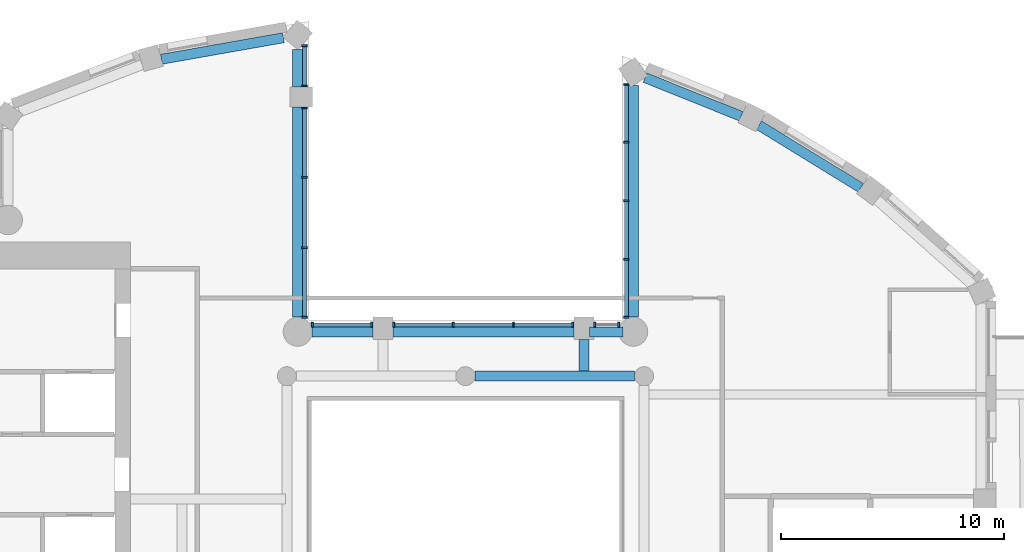
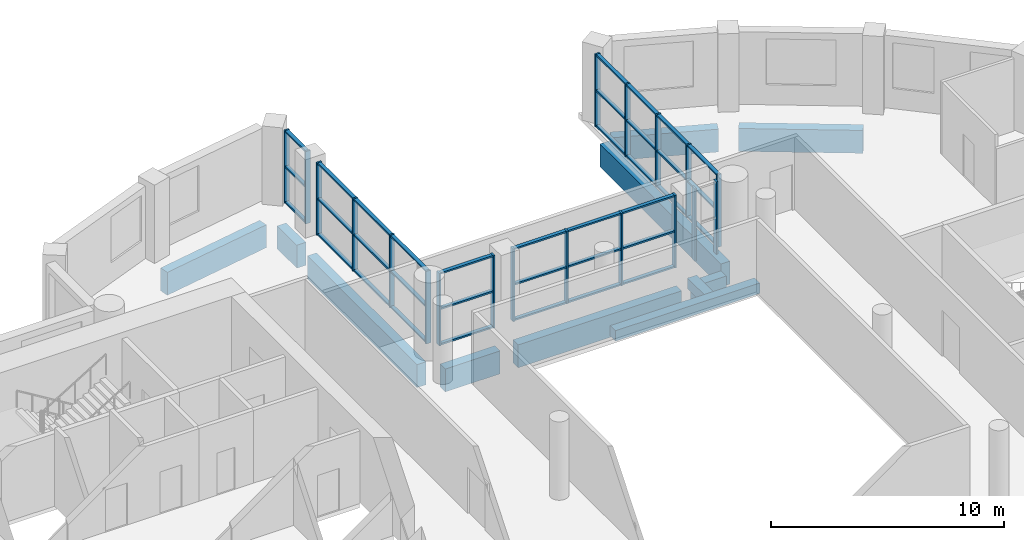
# One storey, part 2 of 15: 55 members, 11 beams, 6 elements without a shape of their own.
"""IFC4 building model written with IfcOpenShell, lengths in metres."""

from ifc_helpers import new_model, si_unit, direction, frame, origin, origin_2d, place, context, subcontext, project, spatial, rectangle, extrude, material, material_profile, profile_set, type_object, element, aggregate, save


model = new_model("IFC4")

# Units and contexts
model_context = context("Model", 3, precision=1e-05, world=origin(), true_north=direction((0.0, 1.0)))
body_context = subcontext(model_context, "Body", "Model", "MODEL_VIEW")
ifc_project = project(units=[si_unit("LENGTHUNIT", "METRE"), si_unit("AREAUNIT", "SQUARE_METRE"), si_unit("VOLUMEUNIT", "CUBIC_METRE"), si_unit("PLANEANGLEUNIT", "RADIAN"), si_unit("MASSUNIT", "GRAM", prefix="KILO")], contexts=[model_context])

# Site, building, storey
site_placement = place(None, origin())
site = spatial("IfcSite", under=ifc_project, at=site_placement, CompositionType="ELEMENT")
building_placement = place(site_placement, origin())
building = spatial("IfcBuilding", under=site, at=building_placement, Name="Cypress Arch Tower", CompositionType="ELEMENT")
storey_placement = place(building_placement, frame((0.0, 0.0, 259.800048828125)))
storey = spatial("IfcBuildingStorey", under=building, at=storey_placement, Name="L58", CompositionType="ELEMENT", Elevation=259.800048828125)

# Beams
ifc_material_1 = material(Name="Concrete C50/60", Category="concrete")
ifc_material_profile_1 = material_profile(ifc_material_1, rectangle(XDim=0.449951171875, YDim=0.550048828125, at=origin_2d()), Name="RC 450x550")
ifc_profile_set_1 = profile_set([ifc_material_profile_1], Name="Concrete C50/60")
beam_type_1 = type_object("IfcBeamType", Name="Floor beam RC 450x550 Concrete C50/60", PredefinedType="BEAM", material=ifc_profile_set_1)
beam_1_placement = place(storey_placement, frame((1.425048828125, 10.0, -0.574951171875), z_axis=(1.0, 0.0, 0.0), x_axis=(0.0, 1.0, 0.0)))
element("IfcBeam", 1, at=beam_1_placement, inside=storey, type_object=beam_type_1, Name="Floor beam L58 RB008", PredefinedType="BEAM", context=body_context, shape_type="SweptSolid", body=[
    extrude(rectangle(XDim=0.449951171875, YDim=0.550048828125, at=origin_2d()), origin(), (0.0, 0.0, 1.0), 7.14990234375),
])
beam_2_placement = place(storey_placement, frame((6.300048828125, 10.22509765625, -0.574951171875), z_axis=(0.0, 1.0, 0.0), x_axis=(-1.0, 0.0, 0.0)))
element("IfcBeam", 2, at=beam_2_placement, inside=storey, type_object=beam_type_1, Name="Floor beam L58 FB013", PredefinedType="BEAM", context=body_context, shape_type="SweptSolid", body=[
    extrude(rectangle(XDim=0.449951171875, YDim=0.550048828125, at=origin_2d()), origin(), (0.0, 0.0, 1.0), 1.4248046875),
])

# Curtain wall, members
ifc_material_2 = material(Name="Anodised aluminium, bronze finish, clear laminated double glazing", Category="aluminium")
curtain_wall_type = type_object("IfcCurtainWallType", Name="Curtain wall CW7 slot glazing", PredefinedType="NOTDEFINED", material=ifc_material_2)
curtain_wall_1_placement = place(storey_placement, origin())
curtain_wall_1 = element("IfcCurtainWall", 3, at=curtain_wall_1_placement, inside=storey, type_object=curtain_wall_type, Name="Curtain wall L58 slot C00.0", PredefinedType="NOTDEFINED")
ifc_material_3 = material(Name="Anodised aluminium, bronze finish", Category="aluminium")
ifc_material_profile_2 = material_profile(ifc_material_3, rectangle(XDim=0.239990234375, YDim=0.0849609375, at=origin_2d()), Name="Mullion 85x240")
ifc_profile_set_2 = profile_set([ifc_material_profile_2], Name="Anodised aluminium, bronze finish")
member_type_1 = type_object("IfcMemberType", Name="Mullion CW7 85x240", PredefinedType="MULLION", material=ifc_profile_set_2)
member_1_placement = place(storey_placement, frame((8.199951171875, 23.060302734375, 0.0), z_axis=(0.0, 0.0, 1.0), x_axis=(1.0, 0.0, 0.0)))
member_1 = element("IfcMember", 4, at=member_1_placement, type_object=member_type_1, Name="CW7 mullion 1", PredefinedType="MULLION", context=body_context, shape_type="SweptSolid", body=[
    extrude(rectangle(XDim=0.239990234375, YDim=0.0849609375, at=origin_2d()), origin(), (0.0, 0.0, 1.0), 3.800048828125),
])
member_2_placement = place(storey_placement, frame((8.199951171875, 20.477294921875, 0.0), z_axis=(0.0, 0.0, 1.0), x_axis=(1.0, 0.0, 0.0)))
member_2 = element("IfcMember", 5, at=member_2_placement, type_object=member_type_1, Name="CW7 mullion 2", PredefinedType="MULLION", context=body_context, shape_type="SweptSolid", body=[
    extrude(rectangle(XDim=0.239990234375, YDim=0.0849609375, at=origin_2d()), origin(), (0.0, 0.0, 1.0), 3.800048828125),
])
member_3_placement = place(storey_placement, frame((8.199951171875, 17.85205078125, 0.0), z_axis=(0.0, 0.0, 1.0), x_axis=(1.0, 0.0, 0.0)))
member_3 = element("IfcMember", 6, at=member_3_placement, type_object=member_type_1, Name="CW7 mullion 3", PredefinedType="MULLION", context=body_context, shape_type="SweptSolid", body=[
    extrude(rectangle(XDim=0.239990234375, YDim=0.0849609375, at=origin_2d()), origin(), (0.0, 0.0, 1.0), 3.800048828125),
])
member_4_placement = place(storey_placement, frame((8.199951171875, 15.226806640625, 0.0), z_axis=(0.0, 0.0, 1.0), x_axis=(1.0, 0.0, 0.0)))
member_4 = element("IfcMember", 7, at=member_4_placement, type_object=member_type_1, Name="CW7 mullion 4", PredefinedType="MULLION", context=body_context, shape_type="SweptSolid", body=[
    extrude(rectangle(XDim=0.239990234375, YDim=0.0849609375, at=origin_2d()), origin(), (0.0, 0.0, 1.0), 3.800048828125),
])
member_5_placement = place(storey_placement, frame((8.199951171875, 12.64404296875, 0.0), z_axis=(0.0, 0.0, 1.0), x_axis=(1.0, 0.0, 0.0)))
member_5 = element("IfcMember", 8, at=member_5_placement, type_object=member_type_1, Name="CW7 mullion 5", PredefinedType="MULLION", context=body_context, shape_type="SweptSolid", body=[
    extrude(rectangle(XDim=0.239990234375, YDim=0.0849609375, at=origin_2d()), origin(), (0.0, 0.0, 1.0), 3.800048828125),
])

curtain_wall_2_placement = place(storey_placement, origin())
curtain_wall_2 = element("IfcCurtainWall", 9, at=curtain_wall_2_placement, inside=storey, type_object=curtain_wall_type, Name="Curtain wall L58 slot C01.0", PredefinedType="NOTDEFINED")
member_6_placement = place(storey_placement, frame((7.85595703125, 12.300048828125, 0.0), z_axis=(0.0, 0.0, 1.0), x_axis=(0.0, -1.0, 0.0)))
member_6 = element("IfcMember", 10, at=member_6_placement, type_object=member_type_1, Name="CW7 mullion 1", PredefinedType="MULLION", context=body_context, shape_type="SweptSolid", body=[
    extrude(rectangle(XDim=0.239990234375, YDim=0.0849609375, at=origin_2d()), origin(), (0.0, 0.0, 1.0), 3.800048828125),
])
member_7_placement = place(storey_placement, frame((6.79248046875, 12.300048828125, 0.0), z_axis=(0.0, 0.0, 1.0), x_axis=(0.0, -1.0, 0.0)))
member_7 = element("IfcMember", 11, at=member_7_placement, type_object=member_type_1, Name="CW7 mullion 2", PredefinedType="MULLION", context=body_context, shape_type="SweptSolid", body=[
    extrude(rectangle(XDim=0.239990234375, YDim=0.0849609375, at=origin_2d()), origin(), (0.0, 0.0, 1.0), 3.800048828125),
])
aggregate(curtain_wall_2, [member_6, member_7])

curtain_wall_3_placement = place(storey_placement, origin())
curtain_wall_3 = element("IfcCurtainWall", 12, at=curtain_wall_3_placement, inside=storey, type_object=curtain_wall_type, Name="Curtain wall L58 slot C01.1", PredefinedType="NOTDEFINED")
member_8_placement = place(storey_placement, frame((5.8076171875, 12.300048828125, 0.0), z_axis=(0.0, 0.0, 1.0), x_axis=(0.0, -1.0, 0.0)))
member_8 = element("IfcMember", 13, at=member_8_placement, type_object=member_type_1, Name="CW7 mullion 1", PredefinedType="MULLION", context=body_context, shape_type="SweptSolid", body=[
    extrude(rectangle(XDim=0.239990234375, YDim=0.0849609375, at=origin_2d()), origin(), (0.0, 0.0, 1.0), 3.800048828125),
])
member_9_placement = place(storey_placement, frame((3.14990234375, 12.300048828125, 0.0), z_axis=(0.0, 0.0, 1.0), x_axis=(0.0, -1.0, 0.0)))
member_9 = element("IfcMember", 14, at=member_9_placement, type_object=member_type_1, Name="CW7 mullion 2", PredefinedType="MULLION", context=body_context, shape_type="SweptSolid", body=[
    extrude(rectangle(XDim=0.239990234375, YDim=0.0849609375, at=origin_2d()), origin(), (0.0, 0.0, 1.0), 3.800048828125),
])
member_10_placement = place(storey_placement, frame((0.449951171875, 12.300048828125, 0.0), z_axis=(0.0, 0.0, 1.0), x_axis=(0.0, -1.0, 0.0)))
member_10 = element("IfcMember", 15, at=member_10_placement, type_object=member_type_1, Name="CW7 mullion 3", PredefinedType="MULLION", context=body_context, shape_type="SweptSolid", body=[
    extrude(rectangle(XDim=0.239990234375, YDim=0.0849609375, at=origin_2d()), origin(), (0.0, 0.0, 1.0), 3.800048828125),
])
member_11_placement = place(storey_placement, frame((-2.20751953125, 12.300048828125, 0.0), z_axis=(0.0, 0.0, 1.0), x_axis=(0.0, -1.0, 0.0)))
member_11 = element("IfcMember", 16, at=member_11_placement, type_object=member_type_1, Name="CW7 mullion 4", PredefinedType="MULLION", context=body_context, shape_type="SweptSolid", body=[
    extrude(rectangle(XDim=0.239990234375, YDim=0.0849609375, at=origin_2d()), origin(), (0.0, 0.0, 1.0), 3.800048828125),
])

curtain_wall_4_placement = place(storey_placement, origin())
curtain_wall_4 = element("IfcCurtainWall", 17, at=curtain_wall_4_placement, inside=storey, type_object=curtain_wall_type, Name="Curtain wall L58 slot C01.2", PredefinedType="NOTDEFINED")
member_12_placement = place(storey_placement, frame((-3.1923828125, 12.300048828125, 0.0), z_axis=(0.0, 0.0, 1.0), x_axis=(0.0, -1.0, 0.0)))
member_12 = element("IfcMember", 18, at=member_12_placement, type_object=member_type_1, Name="CW7 mullion 1", PredefinedType="MULLION", context=body_context, shape_type="SweptSolid", body=[
    extrude(rectangle(XDim=0.239990234375, YDim=0.0849609375, at=origin_2d()), origin(), (0.0, 0.0, 1.0), 3.800048828125),
])
member_13_placement = place(storey_placement, frame((-5.85595703125, 12.300048828125, 0.0), z_axis=(0.0, 0.0, 1.0), x_axis=(0.0, -1.0, 0.0)))
member_13 = element("IfcMember", 19, at=member_13_placement, type_object=member_type_1, Name="CW7 mullion 2", PredefinedType="MULLION", context=body_context, shape_type="SweptSolid", body=[
    extrude(rectangle(XDim=0.239990234375, YDim=0.0849609375, at=origin_2d()), origin(), (0.0, 0.0, 1.0), 3.800048828125),
])

curtain_wall_5_placement = place(storey_placement, origin())
curtain_wall_5 = element("IfcCurtainWall", 20, at=curtain_wall_5_placement, inside=storey, type_object=curtain_wall_type, Name="Curtain wall L58 slot C02.0", PredefinedType="NOTDEFINED")
member_14_placement = place(storey_placement, frame((-6.199951171875, 12.64404296875, 0.0), z_axis=(0.0, 0.0, 1.0), x_axis=(-1.0, 0.0, 0.0)))
member_14 = element("IfcMember", 21, at=member_14_placement, type_object=member_type_1, Name="CW7 mullion 1", PredefinedType="MULLION", context=body_context, shape_type="SweptSolid", body=[
    extrude(rectangle(XDim=0.239990234375, YDim=0.0849609375, at=origin_2d()), origin(), (0.0, 0.0, 1.0), 3.800048828125),
])
member_15_placement = place(storey_placement, frame((-6.199951171875, 15.7509765625, 0.0), z_axis=(0.0, 0.0, 1.0), x_axis=(-1.0, 0.0, 0.0)))
member_15 = element("IfcMember", 22, at=member_15_placement, type_object=member_type_1, Name="CW7 mullion 2", PredefinedType="MULLION", context=body_context, shape_type="SweptSolid", body=[
    extrude(rectangle(XDim=0.239990234375, YDim=0.0849609375, at=origin_2d()), origin(), (0.0, 0.0, 1.0), 3.800048828125),
])
member_16_placement = place(storey_placement, frame((-6.199951171875, 18.900390625, 0.0), z_axis=(0.0, 0.0, 1.0), x_axis=(-1.0, 0.0, 0.0)))
member_16 = element("IfcMember", 23, at=member_16_placement, type_object=member_type_1, Name="CW7 mullion 3", PredefinedType="MULLION", context=body_context, shape_type="SweptSolid", body=[
    extrude(rectangle(XDim=0.239990234375, YDim=0.0849609375, at=origin_2d()), origin(), (0.0, 0.0, 1.0), 3.800048828125),
])
member_17_placement = place(storey_placement, frame((-6.199951171875, 22.007568359375, 0.0), z_axis=(0.0, 0.0, 1.0), x_axis=(-1.0, 0.0, 0.0)))
member_17 = element("IfcMember", 24, at=member_17_placement, type_object=member_type_1, Name="CW7 mullion 4", PredefinedType="MULLION", context=body_context, shape_type="SweptSolid", body=[
    extrude(rectangle(XDim=0.239990234375, YDim=0.0849609375, at=origin_2d()), origin(), (0.0, 0.0, 1.0), 3.800048828125),
])

curtain_wall_6_placement = place(storey_placement, origin())
curtain_wall_6 = element("IfcCurtainWall", 25, at=curtain_wall_6_placement, inside=storey, type_object=curtain_wall_type, Name="Curtain wall L58 slot C02.1", PredefinedType="NOTDEFINED")
member_18_placement = place(storey_placement, frame((-6.199951171875, 22.992431640625, 0.0), z_axis=(0.0, 0.0, 1.0), x_axis=(-1.0, 0.0, 0.0)))
member_18 = element("IfcMember", 26, at=member_18_placement, type_object=member_type_1, Name="CW7 mullion 1", PredefinedType="MULLION", context=body_context, shape_type="SweptSolid", body=[
    extrude(rectangle(XDim=0.239990234375, YDim=0.0849609375, at=origin_2d()), origin(), (0.0, 0.0, 1.0), 3.800048828125),
])
member_19_placement = place(storey_placement, frame((-6.199951171875, 24.789794921875, 0.0), z_axis=(0.0, 0.0, 1.0), x_axis=(-1.0, 0.0, 0.0)))
member_19 = element("IfcMember", 27, at=member_19_placement, type_object=member_type_1, Name="CW7 mullion 2", PredefinedType="MULLION", context=body_context, shape_type="SweptSolid", body=[
    extrude(rectangle(XDim=0.239990234375, YDim=0.0849609375, at=origin_2d()), origin(), (0.0, 0.0, 1.0), 3.800048828125),
])

# Beams
ifc_material_4 = material(Name="Concrete C50/60", Category="concrete")
ifc_material_profile_3 = material_profile(ifc_material_4, rectangle(XDim=0.449951171875, YDim=1.199951171875, at=origin_2d()), Name="RC 450x1200")
ifc_profile_set_3 = profile_set([ifc_material_profile_3], Name="Concrete C50/60")
beam_type_2 = type_object("IfcBeamType", Name="Spandrel beam RC 450x1200 Concrete C50/60", PredefinedType="SPANDREL", material=ifc_profile_set_3)
beam_3_placement = place(storey_placement, frame((8.52490234375, 23.017578125, -1.550048828125), z_axis=(0.0, -1.0, 0.0), x_axis=(1.0, 0.0, 0.0)))
element("IfcBeam", 28, at=beam_3_placement, inside=storey, type_object=beam_type_2, Name="Spandrel beam L58 BC00-0", PredefinedType="SPANDREL", context=body_context, shape_type="SweptSolid", body=[
    extrude(rectangle(XDim=0.449951171875, YDim=1.199951171875, at=origin_2d()), origin(), (0.0, 0.0, 1.0), 10.380126953125),
])
beam_4_placement = place(storey_placement, frame((8.05615234375, 11.97509765625, -1.550048828125), z_axis=(-1.0, 0.0, 0.0), x_axis=(0.0, -1.0, 0.0)))
element("IfcBeam", 29, at=beam_4_placement, inside=storey, type_object=beam_type_2, Name="Spandrel beam L58 BC01-0", PredefinedType="SPANDREL", context=body_context, shape_type="SweptSolid", body=[
    extrude(rectangle(XDim=0.449951171875, YDim=1.199951171875, at=origin_2d()), origin(), (0.0, 0.0, 1.0), 1.5),
])
beam_5_placement = place(storey_placement, frame((5.85009765625, 11.97509765625, -1.550048828125), z_axis=(-1.0, 0.0, 0.0), x_axis=(0.0, -1.0, 0.0)))
element("IfcBeam", 30, at=beam_5_placement, inside=storey, type_object=beam_type_2, Name="Spandrel beam L58 BC01-1", PredefinedType="SPANDREL", context=body_context, shape_type="SweptSolid", body=[
    extrude(rectangle(XDim=0.449951171875, YDim=1.199951171875, at=origin_2d()), origin(), (0.0, 0.0, 1.0), 8.10009765625),
])
beam_6_placement = place(storey_placement, frame((-3.14990234375, 11.97509765625, -1.550048828125), z_axis=(-1.0, 0.0, 0.0), x_axis=(0.0, -1.0, 0.0)))
element("IfcBeam", 31, at=beam_6_placement, inside=storey, type_object=beam_type_2, Name="Spandrel beam L58 BC01-2", PredefinedType="SPANDREL", context=body_context, shape_type="SweptSolid", body=[
    extrude(rectangle(XDim=0.449951171875, YDim=1.199951171875, at=origin_2d()), origin(), (0.0, 0.0, 1.0), 2.712646484375),
])
beam_7_placement = place(storey_placement, frame((-6.52490234375, 12.637451171875, -1.550048828125), z_axis=(0.0, 1.0, 0.0), x_axis=(-1.0, 0.0, 0.0)))
element("IfcBeam", 32, at=beam_7_placement, inside=storey, type_object=beam_type_2, Name="Spandrel beam L58 BC02-0", PredefinedType="SPANDREL", context=body_context, shape_type="SweptSolid", body=[
    extrude(rectangle(XDim=0.449951171875, YDim=1.199951171875, at=origin_2d()), origin(), (0.0, 0.0, 1.0), 9.41259765625),
])
beam_8_placement = place(storey_placement, frame((-6.52490234375, 22.949951171875, -1.550048828125), z_axis=(0.0, 1.0, 0.0), x_axis=(-1.0, 0.0, 0.0)))
element("IfcBeam", 33, at=beam_8_placement, inside=storey, type_object=beam_type_2, Name="Spandrel beam L58 BC02-1", PredefinedType="SPANDREL", context=body_context, shape_type="SweptSolid", body=[
    extrude(rectangle(XDim=0.449951171875, YDim=1.199951171875, at=origin_2d()), origin(), (0.0, 0.0, 1.0), 1.6796875),
])
beam_9_placement = place(storey_placement, frame((-7.14990234375, 25.154052734375, -1.550048828125), z_axis=(-0.984800388539, -0.173689938494, 0.0), x_axis=(0.173689938494, -0.984800388539, 0.0)))
element("IfcBeam", 34, at=beam_9_placement, inside=storey, type_object=beam_type_2, Name="Spandrel beam L58 BC03-0", PredefinedType="SPANDREL", context=body_context, shape_type="SweptSolid", body=[
    extrude(rectangle(XDim=0.449951171875, YDim=1.199951171875, at=origin_2d()), origin(), (0.0, 0.0, 1.0), 5.5478515625),
])
beam_10_placement = place(storey_placement, frame((18.700927734375, 18.43359375, -1.550048828125), z_axis=(-0.851880940975, 0.523735488966, 0.0), x_axis=(-0.523735488966, -0.851880940975, 0.0)))
element("IfcBeam", 35, at=beam_10_placement, inside=storey, type_object=beam_type_2, Name="Spandrel beam L58 BC19-0", PredefinedType="SPANDREL", context=body_context, shape_type="SweptSolid", body=[
    extrude(rectangle(XDim=0.449951171875, YDim=1.199951171875, at=origin_2d()), origin(), (0.0, 0.0, 1.0), 5.344970703125),
])
beam_11_placement = place(storey_placement, frame((13.343994140625, 21.6376953125, -1.550048828125), z_axis=(-0.92793836678, 0.372733668263, 0.0), x_axis=(-0.372733668263, -0.92793836678, 0.0)))
element("IfcBeam", 36, at=beam_11_placement, inside=storey, type_object=beam_type_2, Name="Spandrel beam L58 BC20-0", PredefinedType="SPANDREL", context=body_context, shape_type="SweptSolid", body=[
    extrude(rectangle(XDim=0.449951171875, YDim=1.199951171875, at=origin_2d()), origin(), (0.0, 0.0, 1.0), 4.637451171875),
])

# Member
ifc_material_5 = material(Name="Anodised aluminium, bronze finish", Category="aluminium")
ifc_material_profile_4 = material_profile(ifc_material_5, rectangle(XDim=0.179931640625, YDim=0.0849609375, at=origin_2d()), Name="Transom 85x180")
ifc_profile_set_4 = profile_set([ifc_material_profile_4], Name="Anodised aluminium, bronze finish")
member_type_2 = type_object("IfcMemberType", Name="Transom CW7 85x180", PredefinedType="USERDEFINED", material=ifc_profile_set_4)
member_20_placement = place(storey_placement, frame((8.199951171875, 23.017578125, 0.04248046875), z_axis=(0.0, -1.0, 0.0), x_axis=(1.0, 0.0, 0.0)))
member_20 = element("IfcMember", 37, at=member_20_placement, type_object=member_type_2, Name="CW7 transom 1.1", ObjectType="TRANSOM", PredefinedType="USERDEFINED", context=body_context, shape_type="SweptSolid", body=[
    extrude(rectangle(XDim=0.179931640625, YDim=0.0849609375, at=origin_2d()), origin(), (0.0, 0.0, 1.0), 2.497802734375),
])

member_21_placement = place(storey_placement, frame((8.199951171875, 23.017578125, 1.89990234375), z_axis=(0.0, -1.0, 0.0), x_axis=(1.0, 0.0, 0.0)))
member_21 = element("IfcMember", 38, at=member_21_placement, type_object=member_type_2, Name="CW7 transom 1.2", ObjectType="TRANSOM", PredefinedType="USERDEFINED", context=body_context, shape_type="SweptSolid", body=[
    extrude(rectangle(XDim=0.179931640625, YDim=0.0849609375, at=origin_2d()), origin(), (0.0, 0.0, 1.0), 2.497802734375),
])

member_22_placement = place(storey_placement, frame((8.199951171875, 23.017578125, 3.757568359375), z_axis=(0.0, -1.0, 0.0), x_axis=(1.0, 0.0, 0.0)))
member_22 = element("IfcMember", 39, at=member_22_placement, type_object=member_type_2, Name="CW7 transom 1.3", ObjectType="TRANSOM", PredefinedType="USERDEFINED", context=body_context, shape_type="SweptSolid", body=[
    extrude(rectangle(XDim=0.179931640625, YDim=0.0849609375, at=origin_2d()), origin(), (0.0, 0.0, 1.0), 2.497802734375),
])

member_23_placement = place(storey_placement, frame((8.199951171875, 20.434814453125, 0.04248046875), z_axis=(0.0, -1.0, 0.0), x_axis=(1.0, 0.0, 0.0)))
member_23 = element("IfcMember", 40, at=member_23_placement, type_object=member_type_2, Name="CW7 transom 2.1", ObjectType="TRANSOM", PredefinedType="USERDEFINED", context=body_context, shape_type="SweptSolid", body=[
    extrude(rectangle(XDim=0.179931640625, YDim=0.0849609375, at=origin_2d()), origin(), (0.0, 0.0, 1.0), 2.540283203125),
])

member_24_placement = place(storey_placement, frame((8.199951171875, 20.434814453125, 1.89990234375), z_axis=(0.0, -1.0, 0.0), x_axis=(1.0, 0.0, 0.0)))
member_24 = element("IfcMember", 41, at=member_24_placement, type_object=member_type_2, Name="CW7 transom 2.2", ObjectType="TRANSOM", PredefinedType="USERDEFINED", context=body_context, shape_type="SweptSolid", body=[
    extrude(rectangle(XDim=0.179931640625, YDim=0.0849609375, at=origin_2d()), origin(), (0.0, 0.0, 1.0), 2.540283203125),
])

member_25_placement = place(storey_placement, frame((8.199951171875, 20.434814453125, 3.757568359375), z_axis=(0.0, -1.0, 0.0), x_axis=(1.0, 0.0, 0.0)))
member_25 = element("IfcMember", 42, at=member_25_placement, type_object=member_type_2, Name="CW7 transom 2.3", ObjectType="TRANSOM", PredefinedType="USERDEFINED", context=body_context, shape_type="SweptSolid", body=[
    extrude(rectangle(XDim=0.179931640625, YDim=0.0849609375, at=origin_2d()), origin(), (0.0, 0.0, 1.0), 2.540283203125),
])

member_26_placement = place(storey_placement, frame((8.199951171875, 17.8095703125, 0.04248046875), z_axis=(0.0, -1.0, 0.0), x_axis=(1.0, 0.0, 0.0)))
member_26 = element("IfcMember", 43, at=member_26_placement, type_object=member_type_2, Name="CW7 transom 3.1", ObjectType="TRANSOM", PredefinedType="USERDEFINED", context=body_context, shape_type="SweptSolid", body=[
    extrude(rectangle(XDim=0.179931640625, YDim=0.0849609375, at=origin_2d()), origin(), (0.0, 0.0, 1.0), 2.540283203125),
])

member_27_placement = place(storey_placement, frame((8.199951171875, 17.8095703125, 1.89990234375), z_axis=(0.0, -1.0, 0.0), x_axis=(1.0, 0.0, 0.0)))
member_27 = element("IfcMember", 44, at=member_27_placement, type_object=member_type_2, Name="CW7 transom 3.2", ObjectType="TRANSOM", PredefinedType="USERDEFINED", context=body_context, shape_type="SweptSolid", body=[
    extrude(rectangle(XDim=0.179931640625, YDim=0.0849609375, at=origin_2d()), origin(), (0.0, 0.0, 1.0), 2.540283203125),
])

member_28_placement = place(storey_placement, frame((8.199951171875, 17.8095703125, 3.757568359375), z_axis=(0.0, -1.0, 0.0), x_axis=(1.0, 0.0, 0.0)))
member_28 = element("IfcMember", 45, at=member_28_placement, type_object=member_type_2, Name="CW7 transom 3.3", ObjectType="TRANSOM", PredefinedType="USERDEFINED", context=body_context, shape_type="SweptSolid", body=[
    extrude(rectangle(XDim=0.179931640625, YDim=0.0849609375, at=origin_2d()), origin(), (0.0, 0.0, 1.0), 2.540283203125),
])

member_29_placement = place(storey_placement, frame((8.199951171875, 15.184326171875, 0.04248046875), z_axis=(0.0, -1.0, 0.0), x_axis=(1.0, 0.0, 0.0)))
member_29 = element("IfcMember", 46, at=member_29_placement, type_object=member_type_2, Name="CW7 transom 4.1", ObjectType="TRANSOM", PredefinedType="USERDEFINED", context=body_context, shape_type="SweptSolid", body=[
    extrude(rectangle(XDim=0.179931640625, YDim=0.0849609375, at=origin_2d()), origin(), (0.0, 0.0, 1.0), 2.497802734375),
])

member_30_placement = place(storey_placement, frame((8.199951171875, 15.184326171875, 1.89990234375), z_axis=(0.0, -1.0, 0.0), x_axis=(1.0, 0.0, 0.0)))
member_30 = element("IfcMember", 47, at=member_30_placement, type_object=member_type_2, Name="CW7 transom 4.2", ObjectType="TRANSOM", PredefinedType="USERDEFINED", context=body_context, shape_type="SweptSolid", body=[
    extrude(rectangle(XDim=0.179931640625, YDim=0.0849609375, at=origin_2d()), origin(), (0.0, 0.0, 1.0), 2.497802734375),
])

member_31_placement = place(storey_placement, frame((8.199951171875, 15.184326171875, 3.757568359375), z_axis=(0.0, -1.0, 0.0), x_axis=(1.0, 0.0, 0.0)))
member_31 = element("IfcMember", 48, at=member_31_placement, type_object=member_type_2, Name="CW7 transom 4.3", ObjectType="TRANSOM", PredefinedType="USERDEFINED", context=body_context, shape_type="SweptSolid", body=[
    extrude(rectangle(XDim=0.179931640625, YDim=0.0849609375, at=origin_2d()), origin(), (0.0, 0.0, 1.0), 2.497802734375),
])

aggregate(curtain_wall_1, [member_1, member_2, member_3, member_4, member_5, member_20, member_21, member_22, member_23, member_24, member_25, member_26, member_27, member_28, member_29, member_30, member_31])

member_32_placement = place(storey_placement, frame((5.764892578125, 12.300048828125, 0.04248046875), z_axis=(-1.0, 0.0, 0.0), x_axis=(0.0, -1.0, 0.0)))
member_32 = element("IfcMember", 49, at=member_32_placement, type_object=member_type_2, Name="CW7 transom 1.1", ObjectType="TRANSOM", PredefinedType="USERDEFINED", context=body_context, shape_type="SweptSolid", body=[
    extrude(rectangle(XDim=0.179931640625, YDim=0.0849609375, at=origin_2d()), origin(), (0.0, 0.0, 1.0), 2.572509765625),
])

member_33_placement = place(storey_placement, frame((5.764892578125, 12.300048828125, 1.89990234375), z_axis=(-1.0, 0.0, 0.0), x_axis=(0.0, -1.0, 0.0)))
member_33 = element("IfcMember", 50, at=member_33_placement, type_object=member_type_2, Name="CW7 transom 1.2", ObjectType="TRANSOM", PredefinedType="USERDEFINED", context=body_context, shape_type="SweptSolid", body=[
    extrude(rectangle(XDim=0.179931640625, YDim=0.0849609375, at=origin_2d()), origin(), (0.0, 0.0, 1.0), 2.572509765625),
])

member_34_placement = place(storey_placement, frame((5.764892578125, 12.300048828125, 3.757568359375), z_axis=(-1.0, 0.0, 0.0), x_axis=(0.0, -1.0, 0.0)))
member_34 = element("IfcMember", 51, at=member_34_placement, type_object=member_type_2, Name="CW7 transom 1.3", ObjectType="TRANSOM", PredefinedType="USERDEFINED", context=body_context, shape_type="SweptSolid", body=[
    extrude(rectangle(XDim=0.179931640625, YDim=0.0849609375, at=origin_2d()), origin(), (0.0, 0.0, 1.0), 2.572509765625),
])

member_35_placement = place(storey_placement, frame((3.107421875, 12.300048828125, 0.04248046875), z_axis=(-1.0, 0.0, 0.0), x_axis=(0.0, -1.0, 0.0)))
member_35 = element("IfcMember", 52, at=member_35_placement, type_object=member_type_2, Name="CW7 transom 2.1", ObjectType="TRANSOM", PredefinedType="USERDEFINED", context=body_context, shape_type="SweptSolid", body=[
    extrude(rectangle(XDim=0.179931640625, YDim=0.0849609375, at=origin_2d()), origin(), (0.0, 0.0, 1.0), 2.614990234375),
])

member_36_placement = place(storey_placement, frame((3.107421875, 12.300048828125, 1.89990234375), z_axis=(-1.0, 0.0, 0.0), x_axis=(0.0, -1.0, 0.0)))
member_36 = element("IfcMember", 53, at=member_36_placement, type_object=member_type_2, Name="CW7 transom 2.2", ObjectType="TRANSOM", PredefinedType="USERDEFINED", context=body_context, shape_type="SweptSolid", body=[
    extrude(rectangle(XDim=0.179931640625, YDim=0.0849609375, at=origin_2d()), origin(), (0.0, 0.0, 1.0), 2.614990234375),
])

member_37_placement = place(storey_placement, frame((3.107421875, 12.300048828125, 3.757568359375), z_axis=(-1.0, 0.0, 0.0), x_axis=(0.0, -1.0, 0.0)))
member_37 = element("IfcMember", 54, at=member_37_placement, type_object=member_type_2, Name="CW7 transom 2.3", ObjectType="TRANSOM", PredefinedType="USERDEFINED", context=body_context, shape_type="SweptSolid", body=[
    extrude(rectangle(XDim=0.179931640625, YDim=0.0849609375, at=origin_2d()), origin(), (0.0, 0.0, 1.0), 2.614990234375),
])

member_38_placement = place(storey_placement, frame((0.407470703125, 12.300048828125, 0.04248046875), z_axis=(-1.0, 0.0, 0.0), x_axis=(0.0, -1.0, 0.0)))
member_38 = element("IfcMember", 55, at=member_38_placement, type_object=member_type_2, Name="CW7 transom 3.1", ObjectType="TRANSOM", PredefinedType="USERDEFINED", context=body_context, shape_type="SweptSolid", body=[
    extrude(rectangle(XDim=0.179931640625, YDim=0.0849609375, at=origin_2d()), origin(), (0.0, 0.0, 1.0), 2.572509765625),
])

member_39_placement = place(storey_placement, frame((0.407470703125, 12.300048828125, 1.89990234375), z_axis=(-1.0, 0.0, 0.0), x_axis=(0.0, -1.0, 0.0)))
member_39 = element("IfcMember", 56, at=member_39_placement, type_object=member_type_2, Name="CW7 transom 3.2", ObjectType="TRANSOM", PredefinedType="USERDEFINED", context=body_context, shape_type="SweptSolid", body=[
    extrude(rectangle(XDim=0.179931640625, YDim=0.0849609375, at=origin_2d()), origin(), (0.0, 0.0, 1.0), 2.572509765625),
])

member_40_placement = place(storey_placement, frame((0.407470703125, 12.300048828125, 3.757568359375), z_axis=(-1.0, 0.0, 0.0), x_axis=(0.0, -1.0, 0.0)))
member_40 = element("IfcMember", 57, at=member_40_placement, type_object=member_type_2, Name="CW7 transom 3.3", ObjectType="TRANSOM", PredefinedType="USERDEFINED", context=body_context, shape_type="SweptSolid", body=[
    extrude(rectangle(XDim=0.179931640625, YDim=0.0849609375, at=origin_2d()), origin(), (0.0, 0.0, 1.0), 2.572509765625),
])

aggregate(curtain_wall_3, [member_8, member_9, member_10, member_11, member_32, member_33, member_34, member_35, member_36, member_37, member_38, member_39, member_40])

member_41_placement = place(storey_placement, frame((-3.235107421875, 12.300048828125, 0.04248046875), z_axis=(-1.0, 0.0, 0.0), x_axis=(0.0, -1.0, 0.0)))
member_41 = element("IfcMember", 58, at=member_41_placement, type_object=member_type_2, Name="CW7 transom 1.1", ObjectType="TRANSOM", PredefinedType="USERDEFINED", context=body_context, shape_type="SweptSolid", body=[
    extrude(rectangle(XDim=0.179931640625, YDim=0.0849609375, at=origin_2d()), origin(), (0.0, 0.0, 1.0), 2.578369140625),
])

member_42_placement = place(storey_placement, frame((-3.235107421875, 12.300048828125, 1.89990234375), z_axis=(-1.0, 0.0, 0.0), x_axis=(0.0, -1.0, 0.0)))
member_42 = element("IfcMember", 59, at=member_42_placement, type_object=member_type_2, Name="CW7 transom 1.2", ObjectType="TRANSOM", PredefinedType="USERDEFINED", context=body_context, shape_type="SweptSolid", body=[
    extrude(rectangle(XDim=0.179931640625, YDim=0.0849609375, at=origin_2d()), origin(), (0.0, 0.0, 1.0), 2.578369140625),
])

member_43_placement = place(storey_placement, frame((-3.235107421875, 12.300048828125, 3.757568359375), z_axis=(-1.0, 0.0, 0.0), x_axis=(0.0, -1.0, 0.0)))
member_43 = element("IfcMember", 60, at=member_43_placement, type_object=member_type_2, Name="CW7 transom 1.3", ObjectType="TRANSOM", PredefinedType="USERDEFINED", context=body_context, shape_type="SweptSolid", body=[
    extrude(rectangle(XDim=0.179931640625, YDim=0.0849609375, at=origin_2d()), origin(), (0.0, 0.0, 1.0), 2.578369140625),
])

aggregate(curtain_wall_4, [member_12, member_13, member_41, member_42, member_43])

member_44_placement = place(storey_placement, frame((-6.199951171875, 12.6865234375, 0.04248046875), z_axis=(0.0, 1.0, 0.0), x_axis=(-1.0, 0.0, 0.0)))
member_44 = element("IfcMember", 61, at=member_44_placement, type_object=member_type_2, Name="CW7 transom 1.1", ObjectType="TRANSOM", PredefinedType="USERDEFINED", context=body_context, shape_type="SweptSolid", body=[
    extrude(rectangle(XDim=0.179931640625, YDim=0.0849609375, at=origin_2d()), origin(), (0.0, 0.0, 1.0), 3.02197265625),
])

member_45_placement = place(storey_placement, frame((-6.199951171875, 12.6865234375, 1.89990234375), z_axis=(0.0, 1.0, 0.0), x_axis=(-1.0, 0.0, 0.0)))
member_45 = element("IfcMember", 62, at=member_45_placement, type_object=member_type_2, Name="CW7 transom 1.2", ObjectType="TRANSOM", PredefinedType="USERDEFINED", context=body_context, shape_type="SweptSolid", body=[
    extrude(rectangle(XDim=0.179931640625, YDim=0.0849609375, at=origin_2d()), origin(), (0.0, 0.0, 1.0), 3.02197265625),
])

member_46_placement = place(storey_placement, frame((-6.199951171875, 12.6865234375, 3.757568359375), z_axis=(0.0, 1.0, 0.0), x_axis=(-1.0, 0.0, 0.0)))
member_46 = element("IfcMember", 63, at=member_46_placement, type_object=member_type_2, Name="CW7 transom 1.3", ObjectType="TRANSOM", PredefinedType="USERDEFINED", context=body_context, shape_type="SweptSolid", body=[
    extrude(rectangle(XDim=0.179931640625, YDim=0.0849609375, at=origin_2d()), origin(), (0.0, 0.0, 1.0), 3.02197265625),
])

member_47_placement = place(storey_placement, frame((-6.199951171875, 15.79345703125, 0.04248046875), z_axis=(0.0, 1.0, 0.0), x_axis=(-1.0, 0.0, 0.0)))
member_47 = element("IfcMember", 64, at=member_47_placement, type_object=member_type_2, Name="CW7 transom 2.1", ObjectType="TRANSOM", PredefinedType="USERDEFINED", context=body_context, shape_type="SweptSolid", body=[
    extrude(rectangle(XDim=0.179931640625, YDim=0.0849609375, at=origin_2d()), origin(), (0.0, 0.0, 1.0), 3.064453125),
])

member_48_placement = place(storey_placement, frame((-6.199951171875, 15.79345703125, 1.89990234375), z_axis=(0.0, 1.0, 0.0), x_axis=(-1.0, 0.0, 0.0)))
member_48 = element("IfcMember", 65, at=member_48_placement, type_object=member_type_2, Name="CW7 transom 2.2", ObjectType="TRANSOM", PredefinedType="USERDEFINED", context=body_context, shape_type="SweptSolid", body=[
    extrude(rectangle(XDim=0.179931640625, YDim=0.0849609375, at=origin_2d()), origin(), (0.0, 0.0, 1.0), 3.064453125),
])

member_49_placement = place(storey_placement, frame((-6.199951171875, 15.79345703125, 3.757568359375), z_axis=(0.0, 1.0, 0.0), x_axis=(-1.0, 0.0, 0.0)))
member_49 = element("IfcMember", 66, at=member_49_placement, type_object=member_type_2, Name="CW7 transom 2.3", ObjectType="TRANSOM", PredefinedType="USERDEFINED", context=body_context, shape_type="SweptSolid", body=[
    extrude(rectangle(XDim=0.179931640625, YDim=0.0849609375, at=origin_2d()), origin(), (0.0, 0.0, 1.0), 3.064453125),
])

member_50_placement = place(storey_placement, frame((-6.199951171875, 18.943115234375, 0.04248046875), z_axis=(0.0, 1.0, 0.0), x_axis=(-1.0, 0.0, 0.0)))
member_50 = element("IfcMember", 67, at=member_50_placement, type_object=member_type_2, Name="CW7 transom 3.1", ObjectType="TRANSOM", PredefinedType="USERDEFINED", context=body_context, shape_type="SweptSolid", body=[
    extrude(rectangle(XDim=0.179931640625, YDim=0.0849609375, at=origin_2d()), origin(), (0.0, 0.0, 1.0), 3.02197265625),
])

member_51_placement = place(storey_placement, frame((-6.199951171875, 18.943115234375, 1.89990234375), z_axis=(0.0, 1.0, 0.0), x_axis=(-1.0, 0.0, 0.0)))
member_51 = element("IfcMember", 68, at=member_51_placement, type_object=member_type_2, Name="CW7 transom 3.2", ObjectType="TRANSOM", PredefinedType="USERDEFINED", context=body_context, shape_type="SweptSolid", body=[
    extrude(rectangle(XDim=0.179931640625, YDim=0.0849609375, at=origin_2d()), origin(), (0.0, 0.0, 1.0), 3.02197265625),
])

member_52_placement = place(storey_placement, frame((-6.199951171875, 18.943115234375, 3.757568359375), z_axis=(0.0, 1.0, 0.0), x_axis=(-1.0, 0.0, 0.0)))
member_52 = element("IfcMember", 69, at=member_52_placement, type_object=member_type_2, Name="CW7 transom 3.3", ObjectType="TRANSOM", PredefinedType="USERDEFINED", context=body_context, shape_type="SweptSolid", body=[
    extrude(rectangle(XDim=0.179931640625, YDim=0.0849609375, at=origin_2d()), origin(), (0.0, 0.0, 1.0), 3.02197265625),
])

aggregate(curtain_wall_5, [member_14, member_15, member_16, member_17, member_44, member_45, member_46, member_47, member_48, member_49, member_50, member_51, member_52])

member_53_placement = place(storey_placement, frame((-6.199951171875, 23.034912109375, 0.04248046875), z_axis=(0.0, 1.0, 0.0), x_axis=(-1.0, 0.0, 0.0)))
member_53 = element("IfcMember", 70, at=member_53_placement, type_object=member_type_2, Name="CW7 transom 1.1", ObjectType="TRANSOM", PredefinedType="USERDEFINED", context=body_context, shape_type="SweptSolid", body=[
    extrude(rectangle(XDim=0.179931640625, YDim=0.0849609375, at=origin_2d()), origin(), (0.0, 0.0, 1.0), 1.71240234375),
])

member_54_placement = place(storey_placement, frame((-6.199951171875, 23.034912109375, 1.89990234375), z_axis=(0.0, 1.0, 0.0), x_axis=(-1.0, 0.0, 0.0)))
member_54 = element("IfcMember", 71, at=member_54_placement, type_object=member_type_2, Name="CW7 transom 1.2", ObjectType="TRANSOM", PredefinedType="USERDEFINED", context=body_context, shape_type="SweptSolid", body=[
    extrude(rectangle(XDim=0.179931640625, YDim=0.0849609375, at=origin_2d()), origin(), (0.0, 0.0, 1.0), 1.71240234375),
])

member_55_placement = place(storey_placement, frame((-6.199951171875, 23.034912109375, 3.757568359375), z_axis=(0.0, 1.0, 0.0), x_axis=(-1.0, 0.0, 0.0)))
member_55 = element("IfcMember", 72, at=member_55_placement, type_object=member_type_2, Name="CW7 transom 1.3", ObjectType="TRANSOM", PredefinedType="USERDEFINED", context=body_context, shape_type="SweptSolid", body=[
    extrude(rectangle(XDim=0.179931640625, YDim=0.0849609375, at=origin_2d()), origin(), (0.0, 0.0, 1.0), 1.71240234375),
])

aggregate(curtain_wall_6, [member_18, member_19, member_53, member_54, member_55])

save(model, "model.ifc")
